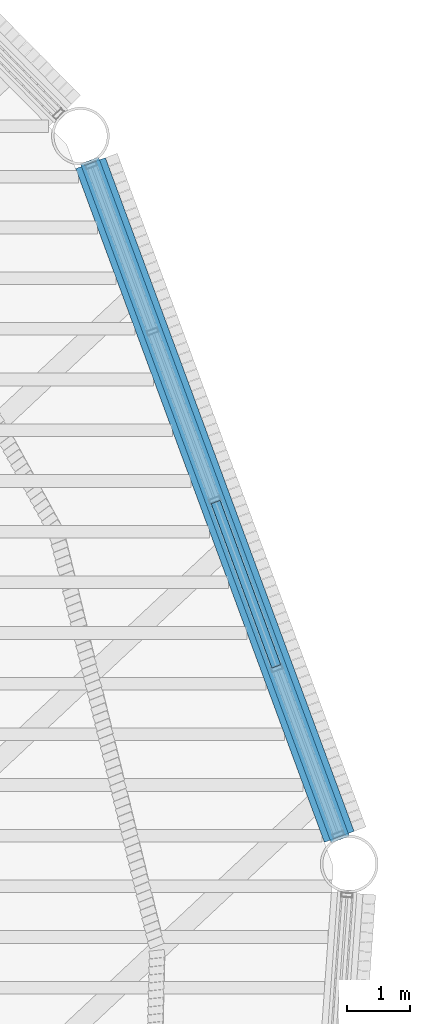
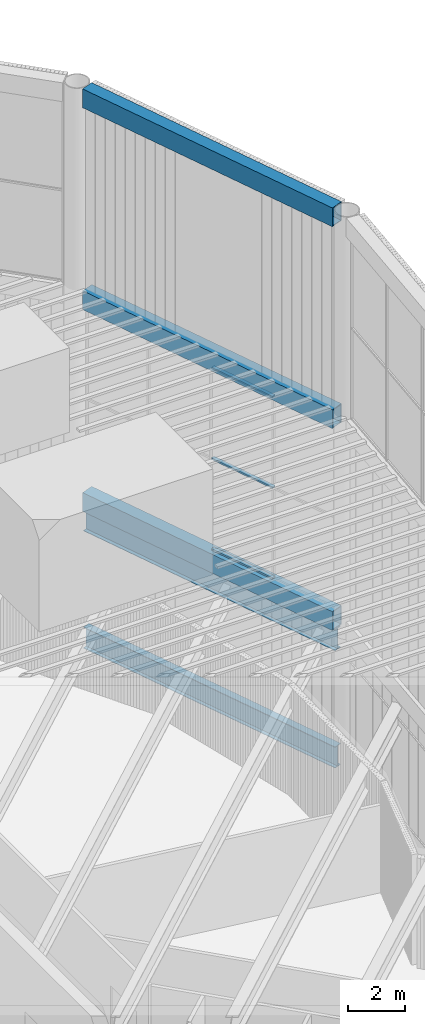
# One storey, part 73 of 117: 5 beams, 3 members, 1 element without a shape of its own.
"""IFC4 building model written with IfcOpenShell, lengths in metres."""

from ifc_helpers import new_model, si_unit, direction, frame, origin, origin_2d, place, context, subcontext, project, spatial, hollow_rectangle, i_section, extrude, material, layer, layer_set, material_profile, profile_set, type_object, element, aggregate, save


model = new_model("IFC4")

# Units and contexts
model_context = context("Model", 3, precision=1e-05, world=origin(), true_north=direction((0.0, 1.0)))
body_context = subcontext(model_context, "Body", "Model", "MODEL_VIEW")
ifc_project = project(units=[si_unit("LENGTHUNIT", "METRE"), si_unit("AREAUNIT", "SQUARE_METRE"), si_unit("VOLUMEUNIT", "CUBIC_METRE"), si_unit("PLANEANGLEUNIT", "RADIAN"), si_unit("MASSUNIT", "GRAM", prefix="KILO")], contexts=[model_context])

# Site, building, storey
site_placement = place(None, origin())
site = spatial("IfcSite", under=ifc_project, at=site_placement, CompositionType="ELEMENT")
building_placement = place(site_placement, origin())
building = spatial("IfcBuilding", under=site, at=building_placement, Name="Tarsis Ring Headquarters", CompositionType="ELEMENT")
storey_placement = place(building_placement, frame((0.0, 0.0, 403.60009765625)))
storey = spatial("IfcBuildingStorey", under=building, at=storey_placement, Name="L95", CompositionType="ELEMENT", Elevation=403.60009765625)

# Beams
ifc_material_1 = material(Name="Structural steel S355", Category="steel")
ifc_material_profile_1 = material_profile(ifc_material_1, hollow_rectangle(XDim=0.5, YDim=0.800048828125, WallThickness=0.030029296875, at=origin_2d()), Name="RHS 800x500x30")
ifc_profile_set_1 = profile_set([ifc_material_profile_1], Name="Structural steel S355")
beam_type_1 = type_object("IfcBeamType", Name="Crown frame ring beam RHS 800x500x30", PredefinedType="BEAM", material=ifc_profile_set_1)
for number, where, z_axis, x_axis, name in (
    (1, (28.60107421875, 4.517822265625, 5.39990234375), (-0.346346087821, 0.938106810257, 0.0), (-0.938106810257, -0.346346087821, 0.0), "Crown frame ring beam R7"),
    (2, (28.60107421875, 4.517822265625, 14.0), (-0.346346087821, 0.938106810257, 0.0), (-0.938106810257, -0.346346087821, 0.0), "Crown frame ring beam M7"),
    (3, (28.60107421875, 4.517822265625, 22.599853515625), (-0.346346087821, 0.938106810257, 0.0), (-0.938106810257, -0.346346087821, 0.0), "Crown frame ring beam T7"),
):
    element("IfcBeam", number, at=place(storey_placement, frame(where, z_axis=z_axis, x_axis=x_axis)), inside=storey, type_object=beam_type_1, Name=name, PredefinedType="BEAM", context=body_context, shape_type="SweptSolid", body=[
        extrude(hollow_rectangle(XDim=0.5, YDim=0.800048828125, WallThickness=0.030029296875, at=origin_2d()), origin(), (0.0, 0.0, 1.0), 11.3349609375),
    ])

# Curtain wall, members
ifc_material_2 = material(Name="Aluminium curtain wall", Category="aluminium")
ifc_layer = layer(ifc_material_2, 0.179931640625)
ifc_layer_set = layer_set([ifc_layer], Name="Curtain wall crown glazing")
curtain_wall_type = type_object("IfcCurtainWallType", Name="Curtain wall crown glazing", PredefinedType="NOTDEFINED", material=ifc_layer_set)
curtain_wall_placement = place(storey_placement, origin())
curtain_wall = element("IfcCurtainWall", 4, at=curtain_wall_placement, inside=storey, type_object=curtain_wall_type, Name="Crown glazing L7", PredefinedType="NOTDEFINED")
ifc_material_3 = material(Name="Aluminium transom", Category="aluminium")
ifc_material_profile_2 = material_profile(ifc_material_3, hollow_rectangle(XDim=0.14990234375, YDim=0.070068359375, WallThickness=0.0048828125, at=origin_2d()), Name="RHS 150x70x5")
ifc_profile_set_2 = profile_set([ifc_material_profile_2], Name="Aluminium transom")
member_type = type_object("IfcMemberType", Name="Crown glazing transom RHS 150x70x5", PredefinedType="USERDEFINED", material=ifc_profile_set_2)
member_1_placement = place(storey_placement, frame((27.607421875, 7.208984375, 5.8349609375), z_axis=(-0.346356143666, 0.93810309761, 0.0), x_axis=(-0.93810309761, -0.346356143666, 0.0)))
member_1 = element("IfcMember", 5, at=member_1_placement, type_object=member_type, Name="CW-C transom 2.1", ObjectType="TRANSOM", PredefinedType="USERDEFINED", context=body_context, shape_type="SweptSolid", body=[
    extrude(hollow_rectangle(XDim=0.14990234375, YDim=0.070068359375, WallThickness=0.0048828125, at=origin_2d()), origin(), (0.0, 0.0, 1.0), 2.763916015625),
])
member_2_placement = place(storey_placement, frame((27.607421875, 7.208984375, 9.699951171875), z_axis=(-0.346356143666, 0.93810309761, 0.0), x_axis=(-0.93810309761, -0.346356143666, 0.0)))
member_2 = element("IfcMember", 6, at=member_2_placement, type_object=member_type, Name="CW-C transom 2.2", ObjectType="TRANSOM", PredefinedType="USERDEFINED", context=body_context, shape_type="SweptSolid", body=[
    extrude(hollow_rectangle(XDim=0.14990234375, YDim=0.070068359375, WallThickness=0.0048828125, at=origin_2d()), origin(), (0.0, 0.0, 1.0), 2.763916015625),
])
member_3_placement = place(storey_placement, frame((27.607421875, 7.208984375, 13.56494140625), z_axis=(-0.346356143666, 0.93810309761, 0.0), x_axis=(-0.93810309761, -0.346356143666, 0.0)))
member_3 = element("IfcMember", 7, at=member_3_placement, type_object=member_type, Name="CW-C transom 2.3", ObjectType="TRANSOM", PredefinedType="USERDEFINED", context=body_context, shape_type="SweptSolid", body=[
    extrude(hollow_rectangle(XDim=0.14990234375, YDim=0.070068359375, WallThickness=0.0048828125, at=origin_2d()), origin(), (0.0, 0.0, 1.0), 2.763916015625),
])
aggregate(curtain_wall, [member_1, member_2, member_3])

# Beams
ifc_material_profile_3 = material_profile(ifc_material_1, i_section(OverallWidth=0.3046875, OverallDepth=0.904296875, WebThickness=0.01513671875, FlangeThickness=0.02001953125, at=origin_2d()), Name="W36x135")
ifc_profile_set_3 = profile_set([ifc_material_profile_3], Name="Structural steel S355")
beam_type_2 = type_object("IfcBeamType", Name="XG Ring girder W36x135", PredefinedType="BEAM", material=ifc_profile_set_3)
for number, where, z_axis, x_axis, name in (
    (8, (28.61669921875, 4.475341796875, -0.4521484375), (-0.346348914066, 0.938105766812, 0.0), (-0.938105766812, -0.346348914066, 0.0), "Ring girder XG5"),
    (9, (28.61669921875, 4.475341796875, 4.5478515625), (-0.346348914066, 0.938105766812, 0.0), (-0.938105766812, -0.346348914066, 0.0), "Ring girder XG5"),
):
    element("IfcBeam", number, at=place(storey_placement, frame(where, z_axis=z_axis, x_axis=x_axis)), inside=storey, type_object=beam_type_2, Name=name, PredefinedType="BEAM", context=body_context, shape_type="SweptSolid", body=[
        extrude(i_section(OverallWidth=0.3046875, OverallDepth=0.904296875, WebThickness=0.01513671875, FlangeThickness=0.02001953125, at=origin_2d()), origin(), (0.0, 0.0, 1.0), 11.42578125),
    ])

save(model, "model.ifc")
